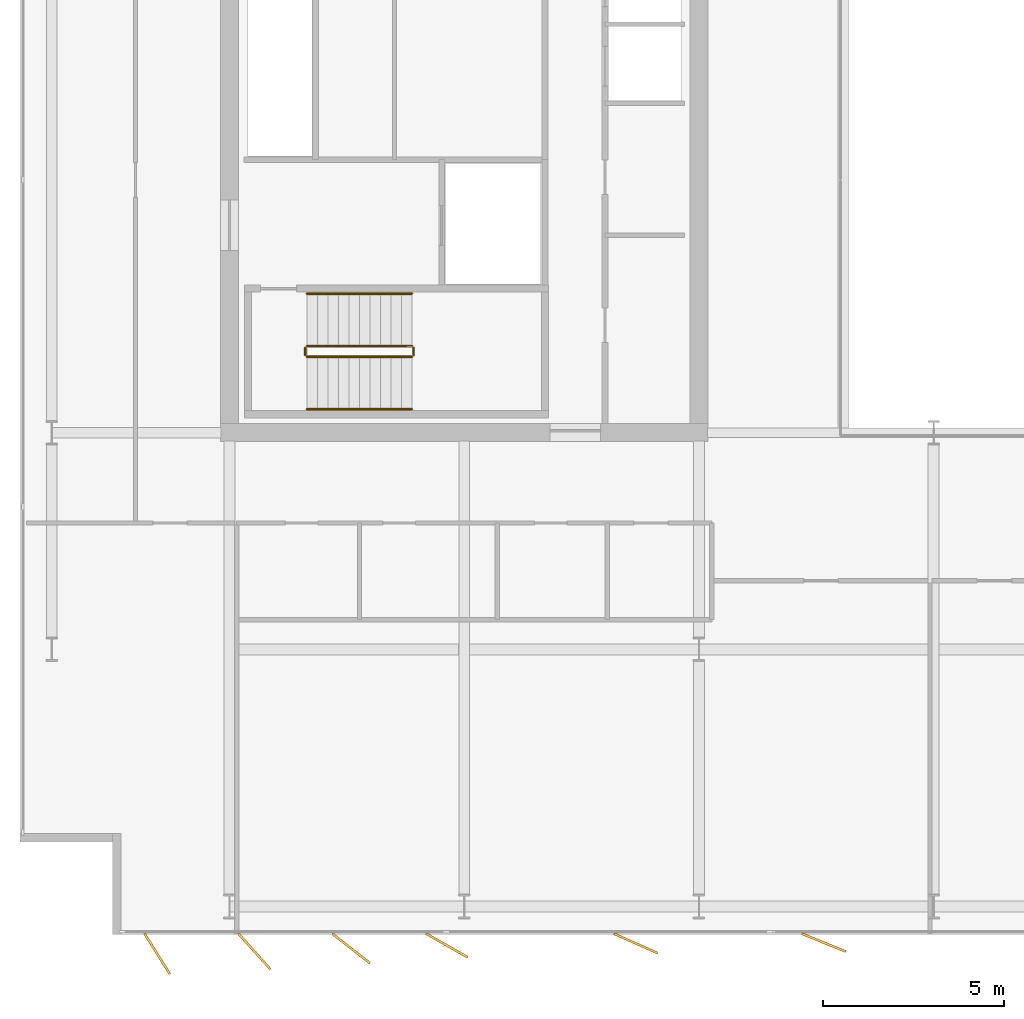
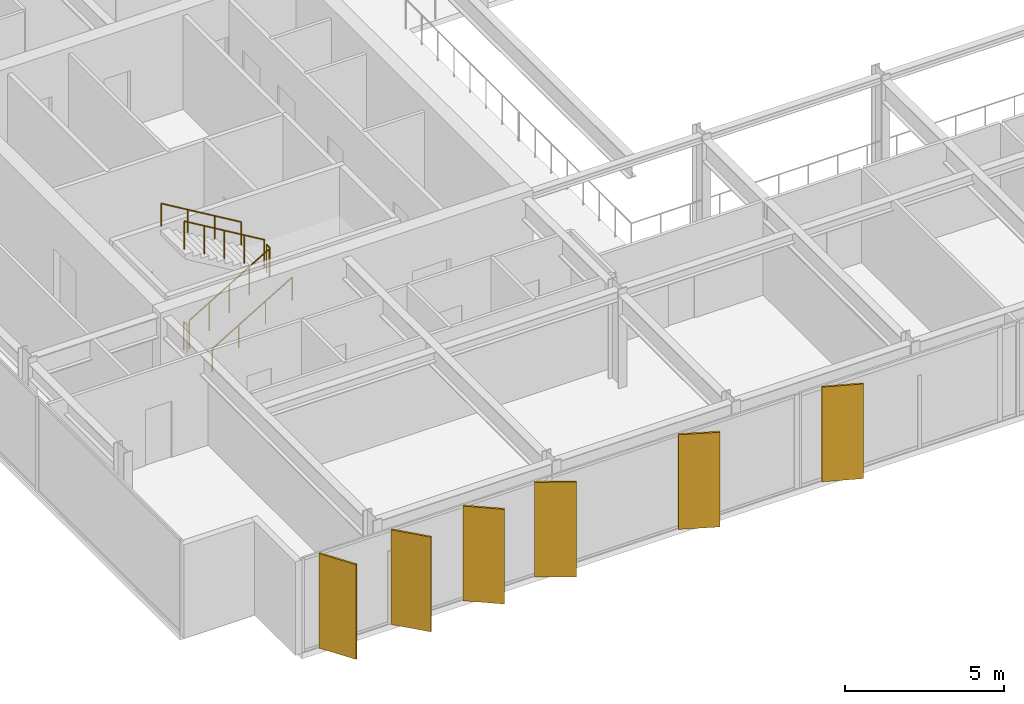
# One storey, part 16 of 19: 6 railings, 6 shading devices.
"""IFC4 building model written with IfcOpenShell, lengths in metres."""

from ifc_helpers import new_model, si_unit, direction, frame, origin, origin_2d, place, context, subcontext, project, spatial, rectangle, circle, extrude, material, layer, layer_set, type_object, element, save


model = new_model("IFC4")

# Units and contexts
model_context = context("Model", 3, precision=1e-05, world=origin(), true_north=direction((0.0, 1.0)))
body_context = subcontext(model_context, "Body", "Model", "MODEL_VIEW")
ifc_project = project(units=[si_unit("LENGTHUNIT", "METRE"), si_unit("AREAUNIT", "SQUARE_METRE"), si_unit("VOLUMEUNIT", "CUBIC_METRE"), si_unit("PLANEANGLEUNIT", "RADIAN"), si_unit("MASSUNIT", "GRAM", prefix="KILO")], contexts=[model_context])

# Site, building, storey
site_placement = place(None, origin())
site = spatial("IfcSite", under=ifc_project, at=site_placement, CompositionType="ELEMENT")
building_placement = place(site_placement, origin())
building = spatial("IfcBuilding", under=site, at=building_placement, Name="Putna Gate Headquarters", CompositionType="ELEMENT")
storey_placement = place(building_placement, frame((0.0, 0.0, 267.0)))
storey = spatial("IfcBuildingStorey", under=building, at=storey_placement, Name="L67", CompositionType="ELEMENT", Elevation=267.0)

# Railings
ifc_material_1 = material(Name="Powder-coated steel stair guardrail", Category="steel")
railing_type_1 = type_object("IfcRailingType", Name="RAIL-STAIR-GUARD-1100", PredefinedType="GUARDRAIL", material=ifc_material_1)
railing_1_placement = place(storey_placement, frame((15.14990234375, 21.10009765625, 0.172607421875)))
element("IfcRailing", 1, at=railing_1_placement, inside=storey, type_object=railing_type_1, Name="L67 ST1 stair guard 1", PredefinedType="GUARDRAIL", context=body_context, shape_type="SweptSolid", body=[
    extrude(circle(Radius=0.02392578125, at=origin_2d()), frame((0.0, 0.0, 1.076171875), z_axis=(0.859160404282, 0.0, 0.51170636083), x_axis=(0.0, 1.0, 0.0)), (0.0, 0.0, 1.0), 3.37548828125),
    extrude(circle(Radius=0.02099609375, at=origin_2d()), origin(), (0.0, 0.0, 1.0), 1.052001953125),
    extrude(circle(Radius=0.02099609375, at=origin_2d()), frame((0.72509765625, 0.0, 0.431884765625)), (0.0, 0.0, 1.0), 1.052001953125),
    extrude(circle(Radius=0.02099609375, at=origin_2d()), frame((1.4501953125, 0.0, 0.86376953125)), (0.0, 0.0, 1.0), 1.052001953125),
    extrude(circle(Radius=0.02099609375, at=origin_2d()), frame((2.175048828125, 0.0, 1.29541015625)), (0.0, 0.0, 1.0), 1.052001953125),
    extrude(circle(Radius=0.02099609375, at=origin_2d()), frame((2.900146484375, 0.0, 1.727294921875)), (0.0, 0.0, 1.0), 1.052001953125),
])
railing_2_placement = place(storey_placement, frame((18.10009765625, 21.14990234375, 1.89990234375)))
element("IfcRailing", 2, at=railing_2_placement, inside=storey, type_object=railing_type_1, Name="L67 ST1 stair guard 2", PredefinedType="GUARDRAIL", context=body_context, shape_type="SweptSolid", body=[
    extrude(circle(Radius=0.02392578125, at=origin_2d()), frame((0.0, 0.0, 1.076171875), z_axis=(0.0, 1.0, 0.0), x_axis=(-1.0, 0.0, 0.0)), (0.0, 0.0, 1.0), 0.2001953125),
    extrude(circle(Radius=0.02099609375, at=origin_2d()), origin(), (0.0, 0.0, 1.0), 1.052001953125),
    extrude(circle(Radius=0.02099609375, at=origin_2d()), frame((0.0, 0.2001953125, 0.0)), (0.0, 0.0, 1.0), 1.052001953125),
])
railing_3_placement = place(storey_placement, frame((18.050048828125, 21.39990234375, 2.07275390625)))
element("IfcRailing", 3, at=railing_3_placement, inside=storey, type_object=railing_type_1, Name="L67 ST1 stair guard 3", PredefinedType="GUARDRAIL", context=body_context, shape_type="SweptSolid", body=[
    extrude(circle(Radius=0.02392578125, at=origin_2d()), frame((0.0, 0.0, 1.076171875), z_axis=(-0.859160404282, 0.0, 0.51170636083), x_axis=(0.0, -1.0, 0.0)), (0.0, 0.0, 1.0), 3.37548828125),
    extrude(circle(Radius=0.02099609375, at=origin_2d()), origin(), (0.0, 0.0, 1.0), 1.052001953125),
    extrude(circle(Radius=0.02099609375, at=origin_2d()), frame((-0.72509765625, 0.0, 0.431884765625)), (0.0, 0.0, 1.0), 1.052001953125),
    extrude(circle(Radius=0.02099609375, at=origin_2d()), frame((-1.4501953125, 0.0, 0.86376953125)), (0.0, 0.0, 1.0), 1.052001953125),
    extrude(circle(Radius=0.02099609375, at=origin_2d()), frame((-2.175048828125, 0.0, 1.29541015625)), (0.0, 0.0, 1.0), 1.052001953125),
    extrude(circle(Radius=0.02099609375, at=origin_2d()), frame((-2.900146484375, 0.0, 1.727294921875)), (0.0, 0.0, 1.0), 1.052001953125),
])
railing_4_placement = place(storey_placement, frame((15.10009765625, 21.14990234375, 0.0)))
element("IfcRailing", 4, at=railing_4_placement, inside=storey, type_object=railing_type_1, Name="L67 ST1 stair guard 4", PredefinedType="GUARDRAIL", context=body_context, shape_type="SweptSolid", body=[
    extrude(circle(Radius=0.02392578125, at=origin_2d()), frame((0.0, 0.0, 1.076171875), z_axis=(0.0, 1.0, 0.0), x_axis=(-1.0, 0.0, 0.0)), (0.0, 0.0, 1.0), 0.2001953125),
    extrude(circle(Radius=0.02099609375, at=origin_2d()), origin(), (0.0, 0.0, 1.0), 1.052001953125),
    extrude(circle(Radius=0.02099609375, at=origin_2d()), frame((0.0, 0.2001953125, 0.0)), (0.0, 0.0, 1.0), 1.052001953125),
])
ifc_material_2 = material(Name="Brushed stainless steel handrail", Category="steel")
railing_type_2 = type_object("IfcRailingType", Name="RAIL-STAIR-HAND-900", PredefinedType="HANDRAIL", material=ifc_material_2)
railing_5_placement = place(storey_placement, frame((15.14990234375, 19.64990234375, 0.172607421875)))
element("IfcRailing", 5, at=railing_5_placement, inside=storey, type_object=railing_type_2, Name="L67 ST1 stair handrail 1", PredefinedType="HANDRAIL", context=body_context, shape_type="SweptSolid", body=[
    extrude(circle(Radius=0.02392578125, at=origin_2d()), frame((0.0, 0.0, 0.8759765625), z_axis=(0.859160404282, 0.0, 0.51170636083), x_axis=(0.0, 1.0, 0.0)), (0.0, 0.0, 1.0), 3.37548828125),
    extrude(circle(Radius=0.02099609375, at=origin_2d()), origin(), (0.0, 0.0, 1.0), 0.851806640625),
    extrude(circle(Radius=0.02099609375, at=origin_2d()), frame((0.966796875, 0.0, 0.57568359375)), (0.0, 0.0, 1.0), 0.851806640625),
    extrude(circle(Radius=0.02099609375, at=origin_2d()), frame((1.933349609375, 0.0, 1.151611328125)), (0.0, 0.0, 1.0), 0.851806640625),
    extrude(circle(Radius=0.02099609375, at=origin_2d()), frame((2.900146484375, 0.0, 1.727294921875)), (0.0, 0.0, 1.0), 0.851806640625),
])
railing_6_placement = place(storey_placement, frame((18.050048828125, 22.85009765625, 2.07275390625)))
element("IfcRailing", 6, at=railing_6_placement, inside=storey, type_object=railing_type_2, Name="L67 ST1 stair handrail 2", PredefinedType="HANDRAIL", context=body_context, shape_type="SweptSolid", body=[
    extrude(circle(Radius=0.02392578125, at=origin_2d()), frame((0.0, 0.0, 0.8759765625), z_axis=(-0.859160404282, 0.0, 0.51170636083), x_axis=(0.0, -1.0, 0.0)), (0.0, 0.0, 1.0), 3.37548828125),
    extrude(circle(Radius=0.02099609375, at=origin_2d()), origin(), (0.0, 0.0, 1.0), 0.851806640625),
    extrude(circle(Radius=0.02099609375, at=origin_2d()), frame((-0.966796875, 0.0, 0.57568359375)), (0.0, 0.0, 1.0), 0.851806640625),
    extrude(circle(Radius=0.02099609375, at=origin_2d()), frame((-1.933349609375, 0.0, 1.151611328125)), (0.0, 0.0, 1.0), 0.851806640625),
    extrude(circle(Radius=0.02099609375, at=origin_2d()), frame((-2.900146484375, 0.0, 1.727294921875)), (0.0, 0.0, 1.0), 0.851806640625),
])

# Shading devices
ifc_material_3 = material(Name="Anodised architectural bronze aluminium fin", Category="aluminium")
ifc_layer = layer(ifc_material_3, 0.06494140625)
ifc_layer_set = layer_set([ifc_layer], Name="Anodised architectural bronze aluminium fin")
shading_device_type = type_object("IfcShadingDeviceType", Name="SHADE-BRONZE-FIN-1320", PredefinedType="USERDEFINED", material=ifc_layer_set)
for number, where, z_axis, x_axis, name in (
    (7, (11.000244140625, 4.565673828125, -0.02001953125), (0.0, 0.0, 1.0), (0.530659123936, -0.847585331506, 0.0), "L67 Bronze Vertical Shading Fin S1"),
    (8, (13.691650390625, 4.634521484375, -0.02001953125), (0.0, 0.0, 1.0), (0.669130606359, -0.743144825477, 0.0), "L67 Bronze Vertical Shading Fin S2"),
    (9, (16.36962890625, 4.71826171875, -0.02001953125), (0.0, 0.0, 1.0), (0.787473187632, -0.616348909921, 0.0), "L67 Bronze Vertical Shading Fin S3"),
    (10, (19.023681640625, 4.798828125, -0.02001953125), (0.0, 0.0, 1.0), (0.869322458298, -0.494245347472, 0.0), "L67 Bronze Vertical Shading Fin S4"),
    (11, (24.2529296875, 4.856689453125, -0.02001953125), (0.0, 0.0, 1.0), (0.913687379856, -0.40641773078, 0.0), "L67 Bronze Vertical Shading Fin S5"),
    (12, (29.4619140625, 4.877685546875, -0.02001953125), (0.0, 0.0, 1.0), (0.927183854567, -0.374606593416, 0.0), "L67 Bronze Vertical Shading Fin S6"),
):
    element("IfcShadingDevice", number, at=place(storey_placement, frame(where, z_axis=z_axis, x_axis=x_axis)), inside=storey, type_object=shading_device_type, Name=name, ObjectType="FIN", PredefinedType="USERDEFINED", context=body_context, shape_type="SweptSolid", body=[
        extrude(rectangle(XDim=1.320068359375, YDim=0.06494140625, at=origin_2d()), origin(), (0.0, 0.0, 1.0), 3.6279296875),
    ])

save(model, "model.ifc")
